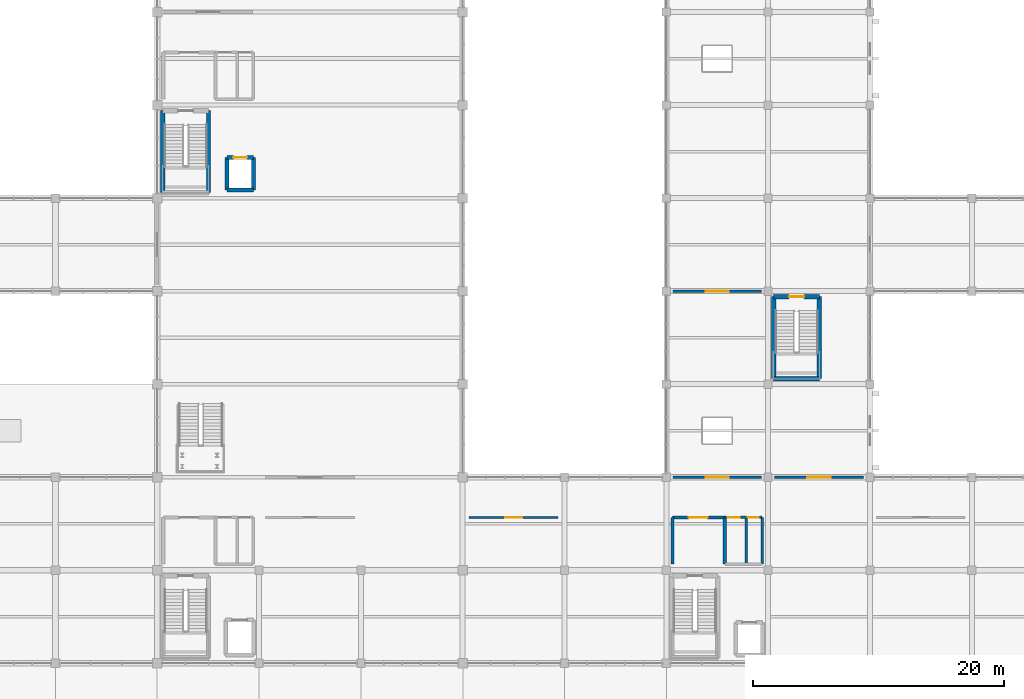
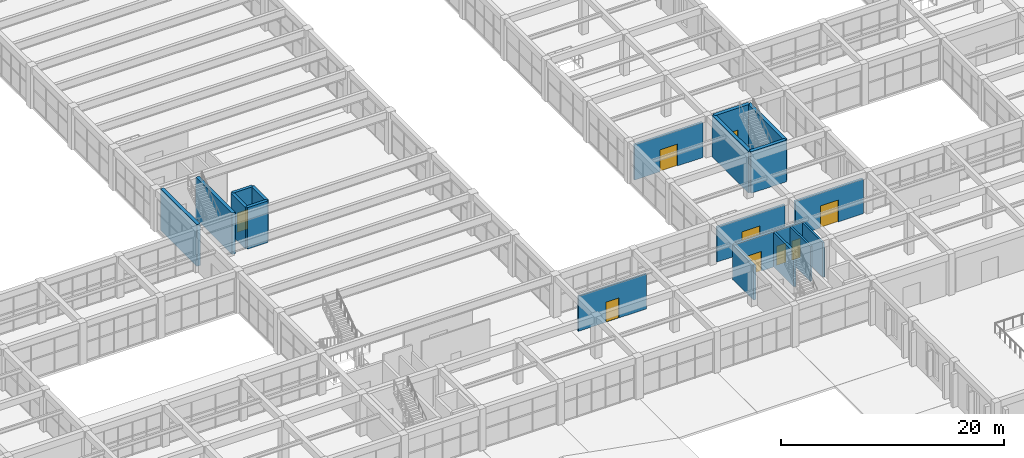
# One storey, part 148 of 161: 20 walls, 9 doors, 9 openings.
"""IFC4 building model written with IfcOpenShell, lengths in metres."""

from ifc_helpers import new_model, si_unit, direction, frame, frame_2d, origin, place, context, subcontext, project, spatial, rectangle, extrude, material, layer, layer_set, type_object, element, fill, save


model = new_model("IFC4")

# Units and contexts
model_context = context("Model", 3, precision=1e-05, world=origin(), true_north=direction((0.0, 1.0)))
body_context = subcontext(model_context, "Body", "Model", "MODEL_VIEW")
ifc_project = project(units=[si_unit("LENGTHUNIT", "METRE"), si_unit("AREAUNIT", "SQUARE_METRE"), si_unit("VOLUMEUNIT", "CUBIC_METRE"), si_unit("PLANEANGLEUNIT", "RADIAN"), si_unit("MASSUNIT", "GRAM", prefix="KILO")], contexts=[model_context])

# Site, building, storey
site_placement = place(None, origin())
site = spatial("IfcSite", under=ifc_project, at=site_placement, CompositionType="ELEMENT")
building_placement = place(site_placement, origin())
building = spatial("IfcBuilding", under=site, at=building_placement, Name="Cimatlan Art Gallery", CompositionType="ELEMENT")
storey_placement = place(building_placement, frame((0.0, 0.0, 5.39990234375)))
storey = spatial("IfcBuildingStorey", under=building, at=storey_placement, Name="L01", CompositionType="ELEMENT", Elevation=5.39990234375)

# Walls
ifc_material_1 = material(Name="Concrete C40/50", Category="concrete")
ifc_layer_1 = layer(ifc_material_1, 0.31005859375)
ifc_layer_set_1 = layer_set([ifc_layer_1], Name="Concrete C40/50")
wall_type_1 = type_object("IfcWallType", Name="W-CORE-310", PredefinedType="SHEAR", material=ifc_layer_set_1)
wall_1_placement = place(storey_placement, frame((80.449951171875, 61.550048828125, 0.0), z_axis=(0.0, 0.0, 1.0), x_axis=(0.0, 1.0, 0.0)))
element("IfcWall", 1, at=wall_1_placement, inside=storey, type_object=wall_type_1, Name="WL-SHFT-C6-L01-LW", PredefinedType="SHEAR", context=body_context, shape_type="SweptSolid", body=[
    extrude(rectangle(XDim=2.599853515625, YDim=0.31005859375, at=frame_2d((1.2998046875, 0.0))), origin(), (0.0, 0.0, 1.0), 4.55517578125),
])
wall_2_placement = place(storey_placement, frame((80.449951171875, 61.550048828125, 0.0), z_axis=(0.0, 0.0, 1.0), x_axis=(1.0, 0.0, 0.0)))
element("IfcWall", 2, at=wall_2_placement, inside=storey, type_object=wall_type_1, Name="WL-SHFT-C6-L01-LS", PredefinedType="SHEAR", context=body_context, shape_type="SweptSolid", body=[
    extrude(rectangle(XDim=2.10009765625, YDim=0.31005859375, at=frame_2d((1.050048828125, 0.0))), origin(), (0.0, 0.0, 1.0), 4.55517578125),
])
wall_3_placement = place(storey_placement, frame((82.550048828125, 61.550048828125, 0.0), z_axis=(0.0, 0.0, 1.0), x_axis=(0.0, 1.0, 0.0)))
element("IfcWall", 3, at=wall_3_placement, inside=storey, type_object=wall_type_1, Name="WL-SHFT-C6-L01-LE", PredefinedType="SHEAR", context=body_context, shape_type="SweptSolid", body=[
    extrude(rectangle(XDim=2.599853515625, YDim=0.31005859375, at=frame_2d((1.2998046875, 0.0))), origin(), (0.0, 0.0, 1.0), 4.55517578125),
])

# Wall, opening, door
wall_4_placement = place(storey_placement, frame((80.449951171875, 64.14990234375, 0.0), z_axis=(0.0, 0.0, 1.0), x_axis=(1.0, 0.0, 0.0)))
wall_4 = element("IfcWall", 4, at=wall_4_placement, inside=storey, type_object=wall_type_1, Name="WL-SHFT-C6-L01-LN", PredefinedType="SHEAR", context=body_context, shape_type="SweptSolid", body=[
    extrude(rectangle(XDim=2.10009765625, YDim=0.31005859375, at=frame_2d((1.050048828125, 0.0))), origin(), (0.0, 0.0, 1.0), 4.55517578125),
])
opening_1_placement = place(wall_4_placement, frame((0.5, 0.0, 0.0)))
opening_1 = element("IfcOpeningElement", 5, at=opening_1_placement, cuts=wall_4, Name="Opening LD-C6-L01", PredefinedType="OPENING", context=body_context, shape_type="SweptSolid", body=[
    extrude(rectangle(XDim=1.10009765625, YDim=2.14990234375, at=frame_2d((0.550048828125, 1.074951171875))), frame((0.0, 0.1650390625, 0.0), z_axis=(0.0, -1.0, 0.0), x_axis=(1.0, 0.0, 0.0)), (0.0, 0.0, 1.0), 0.330078125),
])
ifc_material_2 = material(Name="Brushed bronze sliding lift landing door")
door_type_1 = type_object("IfcDoorType", Name="LD-PS-1100", OperationType="NOTDEFINED", PredefinedType="DOOR", material=ifc_material_2)
door_1_placement = place(opening_1_placement, origin())
door_1 = element("IfcDoor", 6, at=door_1_placement, inside=storey, type_object=door_type_1, Name="LD-PL-03-L01", OperationType="SLIDING_TO_LEFT", OverallHeight=2.14990234375, OverallWidth=1.10009765625, PredefinedType="DOOR", context=body_context, shape_type="SweptSolid", body=[
    extrude(rectangle(XDim=1.10009765625, YDim=2.14990234375, at=frame_2d((0.550048828125, 1.074951171875))), frame((0.0, 0.02490234375, 0.0), z_axis=(0.0, -1.0, 0.0), x_axis=(1.0, 0.0, 0.0)), (0.0, 0.0, 1.0), 0.050048828125),
])
fill(opening_1, door_1)

# Walls
ifc_layer_2 = layer(ifc_material_1, 0.35009765625)
ifc_layer_set_2 = layer_set([ifc_layer_2], Name="Concrete C40/50")
wall_type_2 = type_object("IfcWallType", Name="W-CORE-350", PredefinedType="SHEAR", material=ifc_layer_set_2)
for number, where, z_axis, x_axis, name in (
    (7, (75.340087890625, 61.340087890625, 0.0), (0.0, 0.0, 1.0), (0.0, 1.0, 0.0), "WL-CORE-C6-L01-SW"),
    (8, (78.97998046875, 61.340087890625, 0.0), (0.0, 0.0, 1.0), (0.0, 1.0, 0.0), "WL-CORE-C6-L01-SE"),
    (9, (123.93994140625, 46.5400390625, 0.0), (0.0, 0.0, 1.0), (0.0, 1.0, 0.0), "WL-CORE-C9-L01-SW"),
):
    element("IfcWall", number, at=place(storey_placement, frame(where, z_axis=z_axis, x_axis=x_axis)), inside=storey, type_object=wall_type_2, Name=name, PredefinedType="SHEAR", context=body_context, shape_type="SweptSolid", body=[
        extrude(rectangle(XDim=6.52001953125, YDim=0.35009765625, at=frame_2d((3.260009765625, 0.0))), origin(), (0.0, 0.0, 1.0), 4.55517578125),
    ])
wall_5_placement = place(storey_placement, frame((123.93994140625, 46.5400390625, 0.0), z_axis=(0.0, 0.0, 1.0), x_axis=(1.0, 0.0, 0.0)))
element("IfcWall", 10, at=wall_5_placement, inside=storey, type_object=wall_type_2, Name="WL-CORE-C9-L01-SS", PredefinedType="SHEAR", context=body_context, shape_type="SweptSolid", body=[
    extrude(rectangle(XDim=3.64013671875, YDim=0.35009765625, at=frame_2d((1.820068359375, 0.0))), origin(), (0.0, 0.0, 1.0), 4.55517578125),
])
wall_6_placement = place(storey_placement, frame((127.580078125, 46.5400390625, 0.0), z_axis=(0.0, 0.0, 1.0), x_axis=(0.0, 1.0, 0.0)))
element("IfcWall", 11, at=wall_6_placement, inside=storey, type_object=wall_type_2, Name="WL-CORE-C9-L01-SE", PredefinedType="SHEAR", context=body_context, shape_type="SweptSolid", body=[
    extrude(rectangle(XDim=6.52001953125, YDim=0.35009765625, at=frame_2d((3.260009765625, 0.0))), origin(), (0.0, 0.0, 1.0), 4.55517578125),
])

# Wall, opening, door
wall_7_placement = place(storey_placement, frame((123.93994140625, 53.06005859375, 0.0), z_axis=(0.0, 0.0, 1.0), x_axis=(1.0, 0.0, 0.0)))
wall_7 = element("IfcWall", 12, at=wall_7_placement, inside=storey, type_object=wall_type_2, Name="WL-CORE-C9-L01-SN", PredefinedType="SHEAR", context=body_context, shape_type="SweptSolid", body=[
    extrude(rectangle(XDim=3.64013671875, YDim=0.35009765625, at=frame_2d((1.820068359375, 0.0))), origin(), (0.0, 0.0, 1.0), 4.55517578125),
])
opening_2_placement = place(wall_7_placement, frame((1.219970703125, 0.0, 0.0)))
opening_2 = element("IfcOpeningElement", 13, at=opening_2_placement, cuts=wall_7, Name="Opening FD-C9-L01", PredefinedType="OPENING", context=body_context, shape_type="SweptSolid", body=[
    extrude(rectangle(XDim=1.199951171875, YDim=2.14990234375, at=frame_2d((0.60009765625, 1.074951171875))), frame((0.0, 0.18505859375, 0.0), z_axis=(0.0, -1.0, 0.0), x_axis=(1.0, 0.0, 0.0)), (0.0, 0.0, 1.0), 0.3701171875),
])
ifc_material_3 = material(Name="Fire-resisting steel acoustic stair door", Category="steel")
door_type_2 = type_object("IfcDoorType", Name="FD-ST-1200", OperationType="NOTDEFINED", PredefinedType="DOOR", material=ifc_material_3)
door_2_placement = place(opening_2_placement, origin())
door_2 = element("IfcDoor", 14, at=door_2_placement, inside=storey, type_object=door_type_2, Name="DR-C9-L01-ST", OperationType="SINGLE_SWING_LEFT", OverallHeight=2.14990234375, OverallWidth=1.199951171875, PredefinedType="DOOR", context=body_context, shape_type="SweptSolid", body=[
    extrude(rectangle(XDim=1.199951171875, YDim=2.14990234375, at=frame_2d((0.60009765625, 1.074951171875))), frame((0.0, 0.02490234375, 0.0), z_axis=(0.0, -1.0, 0.0), x_axis=(1.0, 0.0, 0.0)), (0.0, 0.0, 1.0), 0.050048828125),
])
fill(opening_2, door_2)

ifc_material_4 = material(Name="Precast concrete C40/50", Category="concrete")
ifc_layer_3 = layer(ifc_material_4, 0.2451171875)
ifc_layer_set_3 = layer_set([ifc_layer_3], Name="Precast concrete C40/50")
wall_type_3 = type_object("IfcWallType", Name="W-FFL-245", PredefinedType="PARTITIONING", material=ifc_layer_set_3)
wall_8_placement = place(storey_placement, frame((115.8798828125, 35.5, 0.0), z_axis=(0.0, 0.0, 1.0), x_axis=(1.0, 0.0, 0.0)))
wall_8 = element("IfcWall", 15, at=wall_8_placement, inside=storey, type_object=wall_type_3, Name="WL-LOB-C4-L01-N", PredefinedType="PARTITIONING", context=body_context, shape_type="SweptSolid", body=[
    extrude(rectangle(XDim=4.170166015625, YDim=0.2451171875, at=frame_2d((2.0849609375, 0.0))), origin(), (0.0, 0.0, 1.0), 3.85009765625),
])
opening_3_placement = place(wall_8_placement, frame((1.300048828125, 0.0, 0.0)))
opening_3 = element("IfcOpeningElement", 16, at=opening_3_placement, cuts=wall_8, Name="Opening FDL-C4-L01", PredefinedType="OPENING", context=body_context, shape_type="SweptSolid", body=[
    extrude(rectangle(XDim=1.5, YDim=2.14990234375, at=frame_2d((0.75, 1.074951171875))), frame((0.0, 0.132568359375, 0.0), z_axis=(0.0, -1.0, 0.0), x_axis=(1.0, 0.0, 0.0)), (0.0, 0.0, 1.0), 0.26513671875),
])
ifc_material_5 = material(Name="Fire-resisting double-seal lobby door")
door_type_3 = type_object("IfcDoorType", Name="FD-LB-1500", OperationType="NOTDEFINED", PredefinedType="DOOR", material=ifc_material_5)
door_3_placement = place(opening_3_placement, origin())
door_3 = element("IfcDoor", 17, at=door_3_placement, inside=storey, type_object=door_type_3, Name="DR-LOB-C4-L01", OperationType="SINGLE_SWING_RIGHT", OverallHeight=2.14990234375, OverallWidth=1.5, PredefinedType="DOOR", context=body_context, shape_type="SweptSolid", body=[
    extrude(rectangle(XDim=1.5, YDim=2.14990234375, at=frame_2d((0.75, 1.074951171875))), frame((0.0, 0.02490234375, 0.0), z_axis=(0.0, -1.0, 0.0), x_axis=(1.0, 0.0, 0.0)), (0.0, 0.0, 1.0), 0.050048828125),
])
fill(opening_3, door_3)

# Walls
for number, where, z_axis, x_axis, name in (
    (18, (115.8798828125, 31.780029296875, 0.0), (0.0, 0.0, 1.0), (0.0, 1.0, 0.0), "WL-LOB-C4-L01-W"),
    (19, (120.050048828125, 31.780029296875, 0.0), (0.0, 0.0, 1.0), (0.0, 1.0, 0.0), "WL-LOB-C4-L01-M"),
):
    element("IfcWall", number, at=place(storey_placement, frame(where, z_axis=z_axis, x_axis=x_axis)), inside=storey, type_object=wall_type_3, Name=name, PredefinedType="PARTITIONING", context=body_context, shape_type="SweptSolid", body=[
        extrude(rectangle(XDim=3.719970703125, YDim=0.2451171875, at=frame_2d((1.85986328125, 0.0))), origin(), (0.0, 0.0, 1.0), 3.800048828125),
    ])

# Wall, opening, door
ifc_material_6 = material(Name="Acoustic gypsum and steel stud partition", Category="steel")
ifc_layer_4 = layer(ifc_material_6, 0.22509765625)
ifc_layer_set_4 = layer_set([ifc_layer_4], Name="Acoustic gypsum and steel stud partition")
wall_type_4 = type_object("IfcWallType", Name="W-GAL-225", PredefinedType="PARTITIONING", material=ifc_layer_set_4)
wall_9_placement = place(storey_placement, frame((115.919921875, 38.699951171875, 0.0), z_axis=(0.0, 0.0, 1.0), x_axis=(1.0, 0.0, 0.0)))
wall_9 = element("IfcWall", 20, at=wall_9_placement, inside=storey, type_object=wall_type_4, Name="WL-RM-L01-GAL-E1", PredefinedType="PARTITIONING", context=body_context, shape_type="SweptSolid", body=[
    extrude(rectangle(XDim=7.06005859375, YDim=0.22509765625, at=frame_2d((3.530029296875, 0.0))), origin(), (0.0, 0.0, 1.0), 3.800048828125),
])
opening_4_placement = place(wall_9_placement, frame((2.60498046875, 0.0, 0.0)))
opening_4 = element("IfcOpeningElement", 21, at=opening_4_placement, cuts=wall_9, Name="Opening DI-0213", PredefinedType="OPENING", context=body_context, shape_type="SweptSolid", body=[
    extrude(rectangle(XDim=1.85009765625, YDim=2.39990234375, at=frame_2d((0.925048828125, 1.199951171875))), frame((0.0, 0.12255859375, 0.0), z_axis=(0.0, -1.0, 0.0), x_axis=(1.0, 0.0, 0.0)), (0.0, 0.0, 1.0), 0.2451171875),
])
ifc_material_7 = material(Name="European oak gallery portal door")
door_type_4 = type_object("IfcDoorType", Name="DI-GL-1850", OperationType="NOTDEFINED", PredefinedType="DOOR", material=ifc_material_7)
door_4_placement = place(opening_4_placement, origin())
door_4 = element("IfcDoor", 22, at=door_4_placement, inside=storey, type_object=door_type_4, Name="DR-RM-L01-GAL-E1", OperationType="SINGLE_SWING_LEFT", OverallHeight=2.39990234375, OverallWidth=1.85009765625, PredefinedType="DOOR", context=body_context, shape_type="SweptSolid", body=[
    extrude(rectangle(XDim=1.85009765625, YDim=2.39990234375, at=frame_2d((0.925048828125, 1.199951171875))), frame((0.0, 0.02490234375, 0.0), z_axis=(0.0, -1.0, 0.0), x_axis=(1.0, 0.0, 0.0)), (0.0, 0.0, 1.0), 0.050048828125),
])
fill(opening_4, door_4)

wall_10_placement = place(storey_placement, frame((124.02001953125, 38.699951171875, 0.0), z_axis=(0.0, 0.0, 1.0), x_axis=(1.0, 0.0, 0.0)))
wall_10 = element("IfcWall", 23, at=wall_10_placement, inside=storey, type_object=wall_type_4, Name="WL-RM-L01-GAL-E1B", PredefinedType="PARTITIONING", context=body_context, shape_type="SweptSolid", body=[
    extrude(rectangle(XDim=7.06005859375, YDim=0.22509765625, at=frame_2d((3.530029296875, 0.0))), origin(), (0.0, 0.0, 1.0), 3.800048828125),
])
opening_5_placement = place(wall_10_placement, frame((2.60498046875, 0.0, 0.0)))
opening_5 = element("IfcOpeningElement", 24, at=opening_5_placement, cuts=wall_10, Name="Opening DI-0214", PredefinedType="OPENING", context=body_context, shape_type="SweptSolid", body=[
    extrude(rectangle(XDim=1.85009765625, YDim=2.39990234375, at=frame_2d((0.925048828125, 1.199951171875))), frame((0.0, 0.12255859375, 0.0), z_axis=(0.0, -1.0, 0.0), x_axis=(1.0, 0.0, 0.0)), (0.0, 0.0, 1.0), 0.2451171875),
])
door_5_placement = place(opening_5_placement, origin())
door_5 = element("IfcDoor", 25, at=door_5_placement, inside=storey, type_object=door_type_4, Name="DR-RM-L01-GAL-E1B", OperationType="SINGLE_SWING_RIGHT", OverallHeight=2.39990234375, OverallWidth=1.85009765625, PredefinedType="DOOR", context=body_context, shape_type="SweptSolid", body=[
    extrude(rectangle(XDim=1.85009765625, YDim=2.39990234375, at=frame_2d((0.925048828125, 1.199951171875))), frame((0.0, 0.02490234375, 0.0), z_axis=(0.0, -1.0, 0.0), x_axis=(1.0, 0.0, 0.0)), (0.0, 0.0, 1.0), 0.050048828125),
])
fill(opening_5, door_5)

wall_11_placement = place(storey_placement, frame((115.919921875, 53.5, 0.0), z_axis=(0.0, 0.0, 1.0), x_axis=(1.0, 0.0, 0.0)))
wall_11 = element("IfcWall", 26, at=wall_11_placement, inside=storey, type_object=wall_type_4, Name="WL-RM-L01-GAL-E2", PredefinedType="PARTITIONING", context=body_context, shape_type="SweptSolid", body=[
    extrude(rectangle(XDim=7.06005859375, YDim=0.22509765625, at=frame_2d((3.530029296875, 0.0))), origin(), (0.0, 0.0, 1.0), 3.85009765625),
])
opening_6_placement = place(wall_11_placement, frame((2.60498046875, 0.0, 0.0)))
opening_6 = element("IfcOpeningElement", 27, at=opening_6_placement, cuts=wall_11, Name="Opening DI-0215", PredefinedType="OPENING", context=body_context, shape_type="SweptSolid", body=[
    extrude(rectangle(XDim=1.85009765625, YDim=2.39990234375, at=frame_2d((0.925048828125, 1.199951171875))), frame((0.0, 0.12255859375, 0.0), z_axis=(0.0, -1.0, 0.0), x_axis=(1.0, 0.0, 0.0)), (0.0, 0.0, 1.0), 0.2451171875),
])
door_6_placement = place(opening_6_placement, origin())
door_6 = element("IfcDoor", 28, at=door_6_placement, inside=storey, type_object=door_type_4, Name="DR-RM-L01-GAL-E2", OperationType="SINGLE_SWING_LEFT", OverallHeight=2.39990234375, OverallWidth=1.85009765625, PredefinedType="DOOR", context=body_context, shape_type="SweptSolid", body=[
    extrude(rectangle(XDim=1.85009765625, YDim=2.39990234375, at=frame_2d((0.925048828125, 1.199951171875))), frame((0.0, 0.02490234375, 0.0), z_axis=(0.0, -1.0, 0.0), x_axis=(1.0, 0.0, 0.0)), (0.0, 0.0, 1.0), 0.050048828125),
])
fill(opening_6, door_6)

ifc_layer_5 = layer(ifc_material_6, 0.159912109375)
ifc_layer_set_5 = layer_set([ifc_layer_5], Name="Acoustic gypsum and steel stud partition")
wall_type_5 = type_object("IfcWallType", Name="W-LRN-160", PredefinedType="PARTITIONING", material=ifc_layer_set_5)
wall_12_placement = place(storey_placement, frame((99.719970703125, 35.5, 0.0), z_axis=(0.0, 0.0, 1.0), x_axis=(1.0, 0.0, 0.0)))
wall_12 = element("IfcWall", 29, at=wall_12_placement, inside=storey, type_object=wall_type_5, Name="WL-RM-L01-LRN-02", PredefinedType="PARTITIONING", context=body_context, shape_type="SweptSolid", body=[
    extrude(rectangle(XDim=7.06005859375, YDim=0.159912109375, at=frame_2d((3.530029296875, 0.0))), origin(), (0.0, 0.0, 1.0), 3.85009765625),
])
opening_7_placement = place(wall_12_placement, frame((2.85498046875, 0.0, 0.0)))
opening_7 = element("IfcOpeningElement", 30, at=opening_7_placement, cuts=wall_12, Name="Opening DI-0210", PredefinedType="OPENING", context=body_context, shape_type="SweptSolid", body=[
    extrude(rectangle(XDim=1.35009765625, YDim=2.199951171875, at=frame_2d((0.675048828125, 1.10009765625))), frame((0.0, 0.08984375, 0.0), z_axis=(0.0, -1.0, 0.0), x_axis=(1.0, 0.0, 0.0)), (0.0, 0.0, 1.0), 0.179931640625),
])
ifc_material_8 = material(Name="Oak learning-centre workshop door")
door_type_5 = type_object("IfcDoorType", Name="DI-LN-1350", OperationType="NOTDEFINED", PredefinedType="DOOR", material=ifc_material_8)
door_7_placement = place(opening_7_placement, origin())
door_7 = element("IfcDoor", 31, at=door_7_placement, inside=storey, type_object=door_type_5, Name="DR-RM-L01-LRN-02", OperationType="SINGLE_SWING_RIGHT", OverallHeight=2.199951171875, OverallWidth=1.35009765625, PredefinedType="DOOR", context=body_context, shape_type="SweptSolid", body=[
    extrude(rectangle(XDim=1.35009765625, YDim=2.199951171875, at=frame_2d((0.675048828125, 1.10009765625))), frame((0.0, 0.02490234375, 0.0), z_axis=(0.0, -1.0, 0.0), x_axis=(1.0, 0.0, 0.0)), (0.0, 0.0, 1.0), 0.050048828125),
])
fill(opening_7, door_7)

# Walls
ifc_material_9 = material(Name="Moisture-resistant fire-rated plumbing wall")
ifc_layer_6 = layer(ifc_material_9, 0.195068359375)
ifc_layer_set_6 = layer_set([ifc_layer_6], Name="Moisture-resistant fire-rated plumbing wall")
wall_type_6 = type_object("IfcWallType", Name="W-PLM-195", PredefinedType="PARTITIONING", material=ifc_layer_set_6)
for number, where, z_axis, x_axis, name in (
    (32, (121.75, 31.780029296875, 0.0), (0.0, 0.0, 1.0), (0.0, 1.0, 0.0), "WL-LOB-C4-L01-D"),
    (33, (123.02001953125, 31.780029296875, 0.0), (0.0, 0.0, 1.0), (0.0, 1.0, 0.0), "WL-LOB-C4-L01-E"),
):
    element("IfcWall", number, at=place(storey_placement, frame(where, z_axis=z_axis, x_axis=x_axis)), inside=storey, type_object=wall_type_6, Name=name, PredefinedType="PARTITIONING", context=body_context, shape_type="SweptSolid", body=[
        extrude(rectangle(XDim=3.719970703125, YDim=0.195068359375, at=frame_2d((1.85986328125, 0.0))), origin(), (0.0, 0.0, 1.0), 3.800048828125),
    ])

# Wall, openings, doors
wall_13_placement = place(storey_placement, frame((120.050048828125, 35.5, 0.0), z_axis=(0.0, 0.0, 1.0), x_axis=(1.0, 0.0, 0.0)))
wall_13 = element("IfcWall", 34, at=wall_13_placement, inside=storey, type_object=wall_type_6, Name="WL-WC-C4-L01-N", PredefinedType="PARTITIONING", context=body_context, shape_type="SweptSolid", body=[
    extrude(rectangle(XDim=2.969970703125, YDim=0.195068359375, at=frame_2d((1.48486328125, 0.0))), origin(), (0.0, 0.0, 1.0), 3.85009765625),
])
opening_8_placement = place(wall_13_placement, frame((0.25, 0.0, 0.0)))
opening_8 = element("IfcOpeningElement", 35, at=opening_8_placement, cuts=wall_13, Name="Opening DWC-C4A-L01", PredefinedType="OPENING", context=body_context, shape_type="SweptSolid", body=[
    extrude(rectangle(XDim=0.949951171875, YDim=2.10009765625, at=frame_2d((0.47509765625, 1.050048828125))), frame((0.0, 0.107421875, 0.0), z_axis=(0.0, -1.0, 0.0), x_axis=(1.0, 0.0, 0.0)), (0.0, 0.0, 1.0), 0.215087890625),
])
opening_9_placement = place(wall_13_placement, frame((1.820068359375, 0.0, 0.0)))
opening_9 = element("IfcOpeningElement", 36, at=opening_9_placement, cuts=wall_13, Name="Opening DWC-C4B-L01", PredefinedType="OPENING", context=body_context, shape_type="SweptSolid", body=[
    extrude(rectangle(XDim=0.89990234375, YDim=2.10009765625, at=frame_2d((0.449951171875, 1.050048828125))), frame((0.0, 0.107421875, 0.0), z_axis=(0.0, -1.0, 0.0), x_axis=(1.0, 0.0, 0.0)), (0.0, 0.0, 1.0), 0.215087890625),
])
ifc_material_10 = material(Name="Sanitary room door")
door_type_6 = type_object("IfcDoorType", Name="DI-WC-0900", OperationType="NOTDEFINED", PredefinedType="DOOR", material=ifc_material_10)
door_8_placement = place(opening_9_placement, origin())
door_8 = element("IfcDoor", 37, at=door_8_placement, inside=storey, type_object=door_type_6, Name="DR-PWC-C4-L01", OperationType="SINGLE_SWING_RIGHT", OverallHeight=2.10009765625, OverallWidth=0.89990234375, PredefinedType="DOOR", context=body_context, shape_type="SweptSolid", body=[
    extrude(rectangle(XDim=0.89990234375, YDim=2.10009765625, at=frame_2d((0.449951171875, 1.050048828125))), frame((0.0, 0.02490234375, 0.0), z_axis=(0.0, -1.0, 0.0), x_axis=(1.0, 0.0, 0.0)), (0.0, 0.0, 1.0), 0.050048828125),
])
fill(opening_9, door_8)
ifc_material_11 = material(Name="Accessible sanitary room door")
door_type_7 = type_object("IfcDoorType", Name="DI-WC-0950", OperationType="NOTDEFINED", PredefinedType="DOOR", material=ifc_material_11)
door_9_placement = place(opening_8_placement, origin())
door_9 = element("IfcDoor", 38, at=door_9_placement, inside=storey, type_object=door_type_7, Name="DR-AWC-C4-L01", OperationType="SINGLE_SWING_LEFT", OverallHeight=2.10009765625, OverallWidth=0.949951171875, PredefinedType="DOOR", context=body_context, shape_type="SweptSolid", body=[
    extrude(rectangle(XDim=0.949951171875, YDim=2.10009765625, at=frame_2d((0.47509765625, 1.050048828125))), frame((0.0, 0.02490234375, 0.0), z_axis=(0.0, -1.0, 0.0), x_axis=(1.0, 0.0, 0.0)), (0.0, 0.0, 1.0), 0.050048828125),
])
fill(opening_8, door_9)

save(model, "model.ifc")
